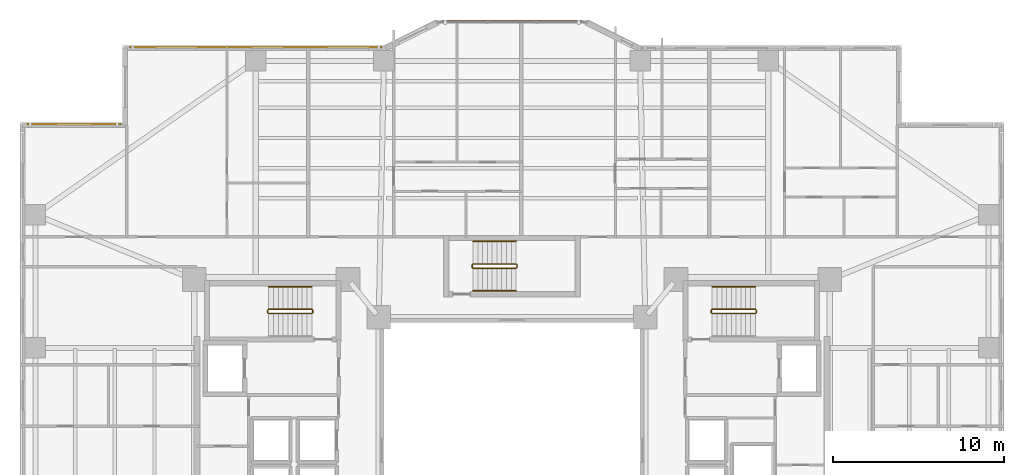
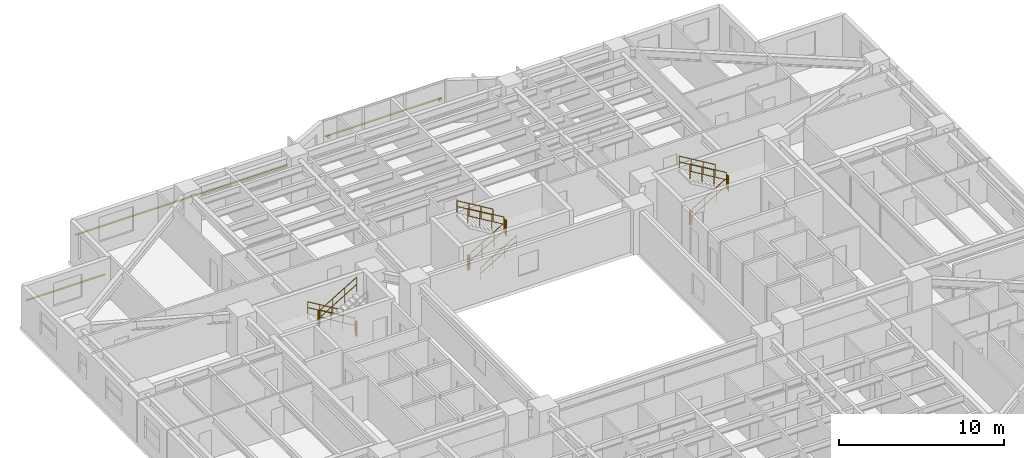
# One storey, part 20 of 21: 16 railings, 3 shading devices.
"""IFC4 building model written with IfcOpenShell, lengths in metres."""

import ifcopenshell
import ifcopenshell.guid

model = None  # the IFC model being written
_history = None  # IfcOwnerHistory: only IFC2X3 demands one
_inside = {}  # id of a spatial element -> (the spatial element, [elements in it])
_under = {}  # id of a project, library or spatial element -> (it, [spatial elements below it])
_declared = {}  # id of a project -> (the project, [libraries it declares])
_typed = {}  # id of a type object -> (the type object, [elements of that type])
_made_of = {}  # id of a material, layer set ... -> (it, [elements and type objects made of it])


def new_model(schema):
    """Start an empty IFC model of exactly this schema.

    Asked for "IFC4X3", IfcOpenShell would pick the latest addendum, in which some entities
    have other attributes; the version numbers below select the first issue.
    IFC2X3 requires an IfcOwnerHistory on every rooted entity: one is made here for all.
    """
    global model, _history
    if schema == "IFC4X3":
        model = ifcopenshell.file(schema_version=(4, 3, 0, 0))
    else:
        model = ifcopenshell.file(schema=schema)
    _inside.clear()
    _under.clear()
    _declared.clear()
    _typed.clear()
    _made_of.clear()
    _history = None
    if model.schema == "IFC2X3":
        org = make("IfcOrganization", Name="unknown")
        user = make(
            "IfcPersonAndOrganization",
            ThePerson=make("IfcPerson", FamilyName="unknown"),
            TheOrganization=org,
        )
        app = make(
            "IfcApplication",
            ApplicationDeveloper=org,
            Version="unknown",
            ApplicationFullName="unknown",
            ApplicationIdentifier="unknown",
        )
        _history = make(
            "IfcOwnerHistory",
            OwningUser=user,
            OwningApplication=app,
            ChangeAction="ADDED",
            CreationDate=0,
        )
    return model


def make(cls, **values):
    """One entity of the class cls with the attributes given. An attribute that is None is left unset."""
    return model.create_entity(
        cls, **{name: value for name, value in values.items() if value is not None}
    )


def rooted(cls, **values):
    """An entity with a GlobalId (a new one), such as an element, a storey or a relation."""
    return make(cls, GlobalId=ifcopenshell.guid.new(), OwnerHistory=_history, **values)


def si_unit(unit_type, name, prefix=None):
    """IfcSIUnit, for example si_unit("LENGTHUNIT", "METRE", prefix="MILLI")."""
    return make("IfcSIUnit", UnitType=unit_type, Prefix=prefix, Name=name)


def assignment(units):
    """IfcUnitAssignment: the units of a project."""
    return None if units is None else make("IfcUnitAssignment", Units=units)


def point(xyz):
    """IfcCartesianPoint."""
    return None if xyz is None else make("IfcCartesianPoint", Coordinates=xyz)


def direction(xyz):
    """IfcDirection."""
    return None if xyz is None else make("IfcDirection", DirectionRatios=xyz)


def frame(location, z_axis=None, x_axis=None):
    """IfcAxis2Placement3D, a coordinate frame: its origin and axes. An axis left out is left unset."""
    return make(
        "IfcAxis2Placement3D",
        Location=point(location),
        Axis=direction(z_axis),
        RefDirection=direction(x_axis),
    )


def frame_2d(location, x_axis=None):
    """IfcAxis2Placement2D, a coordinate frame in the plane: its origin and x axis."""
    return make(
        "IfcAxis2Placement2D", Location=point(location), RefDirection=direction(x_axis)
    )


def origin():
    """The frame at (0, 0, 0) with its axes left unset."""
    return frame((0.0, 0.0, 0.0))


def origin_2d():
    """The frame at (0, 0) in the plane with its x axis left unset."""
    return frame_2d((0.0, 0.0))


def place(relative_to, where):
    """IfcLocalPlacement: puts the frame where relative to a parent placement (None: the world)."""
    return make(
        "IfcLocalPlacement", PlacementRelTo=relative_to, RelativePlacement=where
    )


def context(
    kind, dimensions, precision=None, world=None, true_north=None, identifier=None
):
    """IfcGeometricRepresentationContext, for example the 3D "Model" context."""
    return make(
        "IfcGeometricRepresentationContext",
        ContextIdentifier=identifier,
        ContextType=kind,
        CoordinateSpaceDimension=dimensions,
        Precision=precision,
        WorldCoordinateSystem=world,
        TrueNorth=true_north,
    )


def subcontext(parent, identifier, kind, view, scale=None):
    """IfcGeometricRepresentationSubContext, for example "Body" below "Model"."""
    return make(
        "IfcGeometricRepresentationSubContext",
        ContextIdentifier=identifier,
        ContextType=kind,
        ParentContext=parent,
        TargetScale=scale,
        TargetView=view,
    )


def project(units=None, contexts=None):
    """IfcProject with its units and contexts."""
    return rooted(
        "IfcProject",
        Name="project",
        RepresentationContexts=contexts,
        UnitsInContext=assignment(units),
    )


def spatial(cls, under=None, at=None, **own):
    """A site, building, storey or space (cls), placed at a placement, below another one or the project."""
    s = rooted(cls, ObjectPlacement=at, **own)
    if under is not None:
        _under.setdefault(under.id(), (under, []))[1].append(s)
    return s


def profile(cls, at=None, kind="AREA", **sizes):
    """A parametric profile (cls). Its sizes go by their IFC names, for example OverallWidth=200.0."""
    return make(cls, ProfileType=kind, Position=at, **sizes)


def rectangle(**sizes):
    """IfcRectangleProfileDef."""
    return profile("IfcRectangleProfileDef", **sizes)


def circle(**sizes):
    """IfcCircleProfileDef."""
    return profile("IfcCircleProfileDef", **sizes)


def extrude(swept, where, along, depth):
    """IfcExtrudedAreaSolid: the profile swept, set in the frame where, extruded along a direction by depth."""
    return make(
        "IfcExtrudedAreaSolid",
        SweptArea=swept,
        Position=where,
        ExtrudedDirection=direction(along),
        Depth=depth,
    )


def shape(context_of_items, identifier, shape_type, items):
    """IfcShapeRepresentation: the items that make up one representation, for example the "Body"."""
    return make(
        "IfcShapeRepresentation",
        ContextOfItems=context_of_items,
        RepresentationIdentifier=identifier,
        RepresentationType=shape_type,
        Items=items,
    )


def material(Name=None, Category=None):
    """IfcMaterial."""
    return make("IfcMaterial", Name=Name, Category=Category)


def material_profile(
    of_material, cross_section, Name=None, Category=None, Priority=None
):
    """IfcMaterialProfile: a cross section and its material."""
    return make(
        "IfcMaterialProfile",
        Name=Name,
        Material=of_material,
        Profile=cross_section,
        Priority=Priority,
        Category=Category,
    )


def profile_set(profiles, Name=None, composite=None):
    """IfcMaterialProfileSet."""
    return make(
        "IfcMaterialProfileSet",
        Name=Name,
        MaterialProfiles=profiles,
        CompositeProfile=composite,
    )


def made_of(thing, what):
    """Note that an element or type object is made of a material, layer set ...; save() writes the relation."""
    if what is not None:
        _made_of.setdefault(what.id(), (what, []))[1].append(thing)
    return thing


def type_object(cls, material=None, **own):
    """A type object (cls), such as IfcWallType, which elements share."""
    return made_of(rooted(cls, **own), material)


def element(
    cls,
    number,
    at=None,
    inside=None,
    cuts=None,
    type_object=None,
    material=None,
    context=None,
    identifier="Body",
    shape_type=None,
    held_by="IfcProductDefinitionShape",
    body=None,
    shapes=None,
    **own,
):
    """One element of the class cls, such as IfcWall. Its Tag is "e" and its number.

    at: its placement. inside: the storey or other place that contains it. cuts: it is an
    opening in that element (IfcRelVoidsElement). A single representation is given by context,
    identifier, shape_type and body (its items); several are given by shapes. held_by: the class
    of the entity that holds the representations. save() writes the other relations.
    """
    e = rooted(cls, Tag="e%d" % number, ObjectPlacement=at, **own)
    if body is not None:
        shapes = [shape(context, identifier, shape_type, body)]
    if shapes is not None:
        e.Representation = make(held_by, Representations=shapes)
    if inside is not None:
        _inside.setdefault(inside.id(), (inside, []))[1].append(e)
    if cuts is not None:
        rooted(
            "IfcRelVoidsElement", RelatingBuildingElement=cuts, RelatedOpeningElement=e
        )
    if type_object is not None:
        _typed.setdefault(type_object.id(), (type_object, []))[1].append(e)
    return made_of(e, material)


def aggregate(whole, parts):
    """IfcRelAggregates: a whole, such as a stair, and the parts it consists of."""
    return rooted("IfcRelAggregates", RelatingObject=whole, RelatedObjects=parts)


def save(model, path):
    """Write the relations noted so far, then the file.

    IfcRelAggregates (storeys below a building ...), IfcRelContainedInSpatialStructure (elements
    in a storey), IfcRelDefinesByType, IfcRelAssociatesMaterial and IfcRelDeclares: one each for
    every whole, place, type object, material and project.
    """
    for whole, parts in _under.values():
        aggregate(whole, parts)
    for where, things in _inside.values():
        rooted(
            "IfcRelContainedInSpatialStructure",
            RelatedElements=things,
            RelatingStructure=where,
        )
    for kind, things in _typed.values():
        rooted("IfcRelDefinesByType", RelatedObjects=things, RelatingType=kind)
    for what, things in _made_of.values():
        rooted("IfcRelAssociatesMaterial", RelatedObjects=things, RelatingMaterial=what)
    for by, libraries in _declared.values():
        rooted("IfcRelDeclares", RelatingContext=by, RelatedDefinitions=libraries)
    model.write(path)


model = new_model("IFC4")

# Units and contexts
model_context = context("Model", 3, precision=1e-05, world=origin(), true_north=direction((0.0, 1.0)))
body_context = subcontext(model_context, "Body", "Model", "MODEL_VIEW")
ifc_project = project(units=[si_unit("LENGTHUNIT", "METRE"), si_unit("AREAUNIT", "SQUARE_METRE"), si_unit("VOLUMEUNIT", "CUBIC_METRE"), si_unit("PLANEANGLEUNIT", "RADIAN"), si_unit("MASSUNIT", "GRAM", prefix="KILO")], contexts=[model_context])

# Site, building, storey
site_placement = place(None, origin())
site = spatial("IfcSite", under=ifc_project, at=site_placement, CompositionType="ELEMENT")
building_placement = place(site_placement, origin())
building = spatial("IfcBuilding", under=site, at=building_placement, Name="Tarnavaz Court Tower", CompositionType="ELEMENT")
storey_placement = place(building_placement, frame((0.0, 0.0, 24.0)))
storey = spatial("IfcBuildingStorey", under=building, at=storey_placement, Name="L05", CompositionType="ELEMENT", Elevation=24.0)

# Railings
ifc_material_1 = material(Name="Brushed Stainless Steel", Category="steel")
railing_type_1 = type_object("IfcRailingType", Name="RL-HANDRAIL-900", PredefinedType="HANDRAIL", material=ifc_material_1)
for number, where, name in (
    (1, (-11.719970703125, 9.590087890625, 0.16748046875), "L05 ST-W1 stair handrail 1"),
    (2, (14.239990234375, 9.590087890625, 1.842529296875), "L05 ST-E1 stair handrail 2"),
):
    element("IfcRailing", number, at=place(storey_placement, frame(where)), inside=storey, type_object=railing_type_1, Name=name, PredefinedType="HANDRAIL", context=body_context, shape_type="SweptSolid", body=[
        extrude(circle(Radius=0.02392578125, at=origin_2d()), frame((0.0, 0.0, 0.8759765625), z_axis=(-0.858159760407, 0.0, 0.513382728203), x_axis=(0.0, -1.0, 0.0)), (0.0, 0.0, 1.0), 2.9365234375),
        extrude(circle(Radius=0.02392578125, at=origin_2d()), frame((0.0, 0.0, 0.449951171875), z_axis=(-0.858159760407, 0.0, 0.513382728203), x_axis=(0.0, -1.0, 0.0)), (0.0, 0.0, 1.0), 2.9365234375),
        extrude(circle(Radius=0.02099609375, at=origin_2d()), origin(), (0.0, 0.0, 1.0), 0.851806640625),
        extrude(circle(Radius=0.02099609375, at=origin_2d()), frame((-0.840087890625, 0.0, 0.50244140625)), (0.0, 0.0, 1.0), 0.851806640625),
        extrude(circle(Radius=0.02099609375, at=origin_2d()), frame((-1.679931640625, 0.0, 1.005126953125)), (0.0, 0.0, 1.0), 0.851806640625),
        extrude(circle(Radius=0.02099609375, at=origin_2d()), frame((-2.52001953125, 0.0, 1.507568359375)), (0.0, 0.0, 1.0), 0.851806640625),
    ])
railing_1_placement = place(storey_placement, frame((-2.280029296875, 9.35009765625, 0.16748046875)))
element("IfcRailing", 3, at=railing_1_placement, inside=storey, type_object=railing_type_1, Name="L05 ST-N1 stair handrail 1", PredefinedType="HANDRAIL", context=body_context, shape_type="SweptSolid", body=[
    extrude(circle(Radius=0.02392578125, at=origin_2d()), frame((0.0, 0.0, 0.8759765625), z_axis=(0.858159760407, 0.0, 0.513382728203), x_axis=(0.0, 1.0, 0.0)), (0.0, 0.0, 1.0), 2.9365234375),
    extrude(circle(Radius=0.02392578125, at=origin_2d()), frame((0.0, 0.0, 0.449951171875), z_axis=(0.858159760407, 0.0, 0.513382728203), x_axis=(0.0, 1.0, 0.0)), (0.0, 0.0, 1.0), 2.9365234375),
    extrude(circle(Radius=0.02099609375, at=origin_2d()), origin(), (0.0, 0.0, 1.0), 0.851806640625),
    extrude(circle(Radius=0.02099609375, at=origin_2d()), frame((0.840087890625, 0.0, 0.50244140625)), (0.0, 0.0, 1.0), 0.851806640625),
    extrude(circle(Radius=0.02099609375, at=origin_2d()), frame((1.679931640625, 0.0, 1.005126953125)), (0.0, 0.0, 1.0), 0.851806640625),
    extrude(circle(Radius=0.02099609375, at=origin_2d()), frame((2.52001953125, 0.0, 1.507568359375)), (0.0, 0.0, 1.0), 0.851806640625),
])
railing_2_placement = place(storey_placement, frame((0.239990234375, 12.239990234375, 1.842529296875)))
element("IfcRailing", 4, at=railing_2_placement, inside=storey, type_object=railing_type_1, Name="L05 ST-N1 stair handrail 2", PredefinedType="HANDRAIL", context=body_context, shape_type="SweptSolid", body=[
    extrude(circle(Radius=0.02392578125, at=origin_2d()), frame((0.0, 0.0, 0.8759765625), z_axis=(-0.858159760407, 0.0, 0.513382728203), x_axis=(0.0, -1.0, 0.0)), (0.0, 0.0, 1.0), 2.9365234375),
    extrude(circle(Radius=0.02392578125, at=origin_2d()), frame((0.0, 0.0, 0.449951171875), z_axis=(-0.858159760407, 0.0, 0.513382728203), x_axis=(0.0, -1.0, 0.0)), (0.0, 0.0, 1.0), 2.9365234375),
    extrude(circle(Radius=0.02099609375, at=origin_2d()), origin(), (0.0, 0.0, 1.0), 0.851806640625),
    extrude(circle(Radius=0.02099609375, at=origin_2d()), frame((-0.840087890625, 0.0, 0.50244140625)), (0.0, 0.0, 1.0), 0.851806640625),
    extrude(circle(Radius=0.02099609375, at=origin_2d()), frame((-1.679931640625, 0.0, 1.005126953125)), (0.0, 0.0, 1.0), 0.851806640625),
    extrude(circle(Radius=0.02099609375, at=origin_2d()), frame((-2.52001953125, 0.0, 1.507568359375)), (0.0, 0.0, 1.0), 0.851806640625),
])
ifc_material_2 = material(Name="Galvanized Painted Tubular Steel", Category="steel")
railing_type_2 = type_object("IfcRailingType", Name="RL-STGUARD-1120", PredefinedType="GUARDRAIL", material=ifc_material_2)
railing_3_placement = place(storey_placement, frame((-11.719970703125, 8.27001953125, 0.16748046875)))
element("IfcRailing", 5, at=railing_3_placement, inside=storey, type_object=railing_type_2, Name="L05 ST-W1 stair guard 1", PredefinedType="GUARDRAIL", context=body_context, shape_type="SweptSolid", body=[
    extrude(circle(Radius=0.02392578125, at=origin_2d()), frame((0.0, 0.0, 1.09619140625), z_axis=(-0.858159760407, 0.0, 0.513382728203), x_axis=(0.0, -1.0, 0.0)), (0.0, 0.0, 1.0), 2.9365234375),
    extrude(circle(Radius=0.02392578125, at=origin_2d()), frame((0.0, 0.0, 0.56005859375), z_axis=(-0.858159760407, 0.0, 0.513382728203), x_axis=(0.0, -1.0, 0.0)), (0.0, 0.0, 1.0), 2.9365234375),
    extrude(circle(Radius=0.02099609375, at=origin_2d()), origin(), (0.0, 0.0, 1.0), 1.072021484375),
    extrude(circle(Radius=0.02099609375, at=origin_2d()), frame((-0.840087890625, 0.0, 0.50244140625)), (0.0, 0.0, 1.0), 1.072021484375),
    extrude(circle(Radius=0.02099609375, at=origin_2d()), frame((-1.679931640625, 0.0, 1.005126953125)), (0.0, 0.0, 1.0), 1.072021484375),
    extrude(circle(Radius=0.02099609375, at=origin_2d()), frame((-2.52001953125, 0.0, 1.507568359375)), (0.0, 0.0, 1.0), 1.072021484375),
])
railing_4_placement = place(storey_placement, frame((-14.2900390625, 8.219970703125, 1.675048828125)))
element("IfcRailing", 6, at=railing_4_placement, inside=storey, type_object=railing_type_2, Name="L05 ST-W1 stair guard 2", PredefinedType="GUARDRAIL", context=body_context, shape_type="SweptSolid", body=[
    extrude(circle(Radius=0.02392578125, at=origin_2d()), frame((0.0, 0.0, 1.09619140625), z_axis=(0.0, -1.0, 0.0), x_axis=(1.0, 0.0, 0.0)), (0.0, 0.0, 1.0), 0.14990234375),
    extrude(circle(Radius=0.02392578125, at=origin_2d()), frame((0.0, 0.0, 0.56005859375), z_axis=(0.0, -1.0, 0.0), x_axis=(1.0, 0.0, 0.0)), (0.0, 0.0, 1.0), 0.14990234375),
    extrude(circle(Radius=0.02099609375, at=origin_2d()), origin(), (0.0, 0.0, 1.0), 1.072021484375),
    extrude(circle(Radius=0.02099609375, at=origin_2d()), frame((0.0, -0.14990234375, 0.0)), (0.0, 0.0, 1.0), 1.072021484375),
])
railing_5_placement = place(storey_placement, frame((-14.239990234375, 8.02001953125, 1.842529296875)))
element("IfcRailing", 7, at=railing_5_placement, inside=storey, type_object=railing_type_2, Name="L05 ST-W1 stair guard 3", PredefinedType="GUARDRAIL", context=body_context, shape_type="SweptSolid", body=[
    extrude(circle(Radius=0.02392578125, at=origin_2d()), frame((0.0, 0.0, 1.09619140625), z_axis=(0.858159760407, 0.0, 0.513382728203), x_axis=(0.0, 1.0, 0.0)), (0.0, 0.0, 1.0), 2.9365234375),
    extrude(circle(Radius=0.02392578125, at=origin_2d()), frame((0.0, 0.0, 0.56005859375), z_axis=(0.858159760407, 0.0, 0.513382728203), x_axis=(0.0, 1.0, 0.0)), (0.0, 0.0, 1.0), 2.9365234375),
    extrude(circle(Radius=0.02099609375, at=origin_2d()), origin(), (0.0, 0.0, 1.0), 1.072021484375),
    extrude(circle(Radius=0.02099609375, at=origin_2d()), frame((0.840087890625, 0.0, 0.50244140625)), (0.0, 0.0, 1.0), 1.072021484375),
    extrude(circle(Radius=0.02099609375, at=origin_2d()), frame((1.679931640625, 0.0, 1.005126953125)), (0.0, 0.0, 1.0), 1.072021484375),
    extrude(circle(Radius=0.02099609375, at=origin_2d()), frame((2.52001953125, 0.0, 1.507568359375)), (0.0, 0.0, 1.0), 1.072021484375),
])
railing_6_placement = place(storey_placement, frame((-11.669921875, 8.219970703125, 0.0)))
element("IfcRailing", 8, at=railing_6_placement, inside=storey, type_object=railing_type_2, Name="L05 ST-W1 stair guard 4", PredefinedType="GUARDRAIL", context=body_context, shape_type="SweptSolid", body=[
    extrude(circle(Radius=0.02392578125, at=origin_2d()), frame((0.0, 0.0, 1.09619140625), z_axis=(0.0, -1.0, 0.0), x_axis=(1.0, 0.0, 0.0)), (0.0, 0.0, 1.0), 0.14990234375),
    extrude(circle(Radius=0.02392578125, at=origin_2d()), frame((0.0, 0.0, 0.56005859375), z_axis=(0.0, -1.0, 0.0), x_axis=(1.0, 0.0, 0.0)), (0.0, 0.0, 1.0), 0.14990234375),
    extrude(circle(Radius=0.02099609375, at=origin_2d()), origin(), (0.0, 0.0, 1.0), 1.072021484375),
    extrude(circle(Radius=0.02099609375, at=origin_2d()), frame((0.0, -0.14990234375, 0.0)), (0.0, 0.0, 1.0), 1.072021484375),
])
railing_7_placement = place(storey_placement, frame((11.719970703125, 8.02001953125, 0.16748046875)))
element("IfcRailing", 9, at=railing_7_placement, inside=storey, type_object=railing_type_2, Name="L05 ST-E1 stair guard 1", PredefinedType="GUARDRAIL", context=body_context, shape_type="SweptSolid", body=[
    extrude(circle(Radius=0.02392578125, at=origin_2d()), frame((0.0, 0.0, 1.09619140625), z_axis=(0.858159760407, 0.0, 0.513382728203), x_axis=(0.0, 1.0, 0.0)), (0.0, 0.0, 1.0), 2.9365234375),
    extrude(circle(Radius=0.02392578125, at=origin_2d()), frame((0.0, 0.0, 0.56005859375), z_axis=(0.858159760407, 0.0, 0.513382728203), x_axis=(0.0, 1.0, 0.0)), (0.0, 0.0, 1.0), 2.9365234375),
    extrude(circle(Radius=0.02099609375, at=origin_2d()), origin(), (0.0, 0.0, 1.0), 1.072021484375),
    extrude(circle(Radius=0.02099609375, at=origin_2d()), frame((0.840087890625, 0.0, 0.50244140625)), (0.0, 0.0, 1.0), 1.072021484375),
    extrude(circle(Radius=0.02099609375, at=origin_2d()), frame((1.679931640625, 0.0, 1.005126953125)), (0.0, 0.0, 1.0), 1.072021484375),
    extrude(circle(Radius=0.02099609375, at=origin_2d()), frame((2.52001953125, 0.0, 1.507568359375)), (0.0, 0.0, 1.0), 1.072021484375),
])
railing_8_placement = place(storey_placement, frame((14.2900390625, 8.070068359375, 1.675048828125)))
element("IfcRailing", 10, at=railing_8_placement, inside=storey, type_object=railing_type_2, Name="L05 ST-E1 stair guard 2", PredefinedType="GUARDRAIL", context=body_context, shape_type="SweptSolid", body=[
    extrude(circle(Radius=0.02392578125, at=origin_2d()), frame((0.0, 0.0, 1.09619140625), z_axis=(0.0, 1.0, 0.0), x_axis=(-1.0, 0.0, 0.0)), (0.0, 0.0, 1.0), 0.14990234375),
    extrude(circle(Radius=0.02392578125, at=origin_2d()), frame((0.0, 0.0, 0.56005859375), z_axis=(0.0, 1.0, 0.0), x_axis=(-1.0, 0.0, 0.0)), (0.0, 0.0, 1.0), 0.14990234375),
    extrude(circle(Radius=0.02099609375, at=origin_2d()), origin(), (0.0, 0.0, 1.0), 1.072021484375),
    extrude(circle(Radius=0.02099609375, at=origin_2d()), frame((0.0, 0.14990234375, 0.0)), (0.0, 0.0, 1.0), 1.072021484375),
])
railing_9_placement = place(storey_placement, frame((14.239990234375, 8.27001953125, 1.842529296875)))
element("IfcRailing", 11, at=railing_9_placement, inside=storey, type_object=railing_type_2, Name="L05 ST-E1 stair guard 3", PredefinedType="GUARDRAIL", context=body_context, shape_type="SweptSolid", body=[
    extrude(circle(Radius=0.02392578125, at=origin_2d()), frame((0.0, 0.0, 1.09619140625), z_axis=(-0.858159760407, 0.0, 0.513382728203), x_axis=(0.0, -1.0, 0.0)), (0.0, 0.0, 1.0), 2.9365234375),
    extrude(circle(Radius=0.02392578125, at=origin_2d()), frame((0.0, 0.0, 0.56005859375), z_axis=(-0.858159760407, 0.0, 0.513382728203), x_axis=(0.0, -1.0, 0.0)), (0.0, 0.0, 1.0), 2.9365234375),
    extrude(circle(Radius=0.02099609375, at=origin_2d()), origin(), (0.0, 0.0, 1.0), 1.072021484375),
    extrude(circle(Radius=0.02099609375, at=origin_2d()), frame((-0.840087890625, 0.0, 0.50244140625)), (0.0, 0.0, 1.0), 1.072021484375),
    extrude(circle(Radius=0.02099609375, at=origin_2d()), frame((-1.679931640625, 0.0, 1.005126953125)), (0.0, 0.0, 1.0), 1.072021484375),
    extrude(circle(Radius=0.02099609375, at=origin_2d()), frame((-2.52001953125, 0.0, 1.507568359375)), (0.0, 0.0, 1.0), 1.072021484375),
])
railing_10_placement = place(storey_placement, frame((11.669921875, 8.070068359375, 0.0)))
element("IfcRailing", 12, at=railing_10_placement, inside=storey, type_object=railing_type_2, Name="L05 ST-E1 stair guard 4", PredefinedType="GUARDRAIL", context=body_context, shape_type="SweptSolid", body=[
    extrude(circle(Radius=0.02392578125, at=origin_2d()), frame((0.0, 0.0, 1.09619140625), z_axis=(0.0, 1.0, 0.0), x_axis=(-1.0, 0.0, 0.0)), (0.0, 0.0, 1.0), 0.14990234375),
    extrude(circle(Radius=0.02392578125, at=origin_2d()), frame((0.0, 0.0, 0.56005859375), z_axis=(0.0, 1.0, 0.0), x_axis=(-1.0, 0.0, 0.0)), (0.0, 0.0, 1.0), 0.14990234375),
    extrude(circle(Radius=0.02099609375, at=origin_2d()), origin(), (0.0, 0.0, 1.0), 1.072021484375),
    extrude(circle(Radius=0.02099609375, at=origin_2d()), frame((0.0, 0.14990234375, 0.0)), (0.0, 0.0, 1.0), 1.072021484375),
])
railing_11_placement = place(storey_placement, frame((-2.280029296875, 10.669921875, 0.16748046875)))
element("IfcRailing", 13, at=railing_11_placement, inside=storey, type_object=railing_type_2, Name="L05 ST-N1 stair guard 1", PredefinedType="GUARDRAIL", context=body_context, shape_type="SweptSolid", body=[
    extrude(circle(Radius=0.02392578125, at=origin_2d()), frame((0.0, 0.0, 1.09619140625), z_axis=(0.858159760407, 0.0, 0.513382728203), x_axis=(0.0, 1.0, 0.0)), (0.0, 0.0, 1.0), 2.9365234375),
    extrude(circle(Radius=0.02392578125, at=origin_2d()), frame((0.0, 0.0, 0.56005859375), z_axis=(0.858159760407, 0.0, 0.513382728203), x_axis=(0.0, 1.0, 0.0)), (0.0, 0.0, 1.0), 2.9365234375),
    extrude(circle(Radius=0.02099609375, at=origin_2d()), origin(), (0.0, 0.0, 1.0), 1.072021484375),
    extrude(circle(Radius=0.02099609375, at=origin_2d()), frame((0.840087890625, 0.0, 0.50244140625)), (0.0, 0.0, 1.0), 1.072021484375),
    extrude(circle(Radius=0.02099609375, at=origin_2d()), frame((1.679931640625, 0.0, 1.005126953125)), (0.0, 0.0, 1.0), 1.072021484375),
    extrude(circle(Radius=0.02099609375, at=origin_2d()), frame((2.52001953125, 0.0, 1.507568359375)), (0.0, 0.0, 1.0), 1.072021484375),
])
railing_12_placement = place(storey_placement, frame((0.2900390625, 10.719970703125, 1.675048828125)))
element("IfcRailing", 14, at=railing_12_placement, inside=storey, type_object=railing_type_2, Name="L05 ST-N1 stair guard 2", PredefinedType="GUARDRAIL", context=body_context, shape_type="SweptSolid", body=[
    extrude(circle(Radius=0.02392578125, at=origin_2d()), frame((0.0, 0.0, 1.09619140625), z_axis=(0.0, 1.0, 0.0), x_axis=(-1.0, 0.0, 0.0)), (0.0, 0.0, 1.0), 0.150146484375),
    extrude(circle(Radius=0.02392578125, at=origin_2d()), frame((0.0, 0.0, 0.56005859375), z_axis=(0.0, 1.0, 0.0), x_axis=(-1.0, 0.0, 0.0)), (0.0, 0.0, 1.0), 0.150146484375),
    extrude(circle(Radius=0.02099609375, at=origin_2d()), origin(), (0.0, 0.0, 1.0), 1.072021484375),
    extrude(circle(Radius=0.02099609375, at=origin_2d()), frame((0.0, 0.150146484375, 0.0)), (0.0, 0.0, 1.0), 1.072021484375),
])
railing_13_placement = place(storey_placement, frame((0.239990234375, 10.919921875, 1.842529296875)))
element("IfcRailing", 15, at=railing_13_placement, inside=storey, type_object=railing_type_2, Name="L05 ST-N1 stair guard 3", PredefinedType="GUARDRAIL", context=body_context, shape_type="SweptSolid", body=[
    extrude(circle(Radius=0.02392578125, at=origin_2d()), frame((0.0, 0.0, 1.09619140625), z_axis=(-0.858159760407, 0.0, 0.513382728203), x_axis=(0.0, -1.0, 0.0)), (0.0, 0.0, 1.0), 2.9365234375),
    extrude(circle(Radius=0.02392578125, at=origin_2d()), frame((0.0, 0.0, 0.56005859375), z_axis=(-0.858159760407, 0.0, 0.513382728203), x_axis=(0.0, -1.0, 0.0)), (0.0, 0.0, 1.0), 2.9365234375),
    extrude(circle(Radius=0.02099609375, at=origin_2d()), origin(), (0.0, 0.0, 1.0), 1.072021484375),
    extrude(circle(Radius=0.02099609375, at=origin_2d()), frame((-0.840087890625, 0.0, 0.50244140625)), (0.0, 0.0, 1.0), 1.072021484375),
    extrude(circle(Radius=0.02099609375, at=origin_2d()), frame((-1.679931640625, 0.0, 1.005126953125)), (0.0, 0.0, 1.0), 1.072021484375),
    extrude(circle(Radius=0.02099609375, at=origin_2d()), frame((-2.52001953125, 0.0, 1.507568359375)), (0.0, 0.0, 1.0), 1.072021484375),
])
railing_14_placement = place(storey_placement, frame((-2.330078125, 10.719970703125, 0.0)))
element("IfcRailing", 16, at=railing_14_placement, inside=storey, type_object=railing_type_2, Name="L05 ST-N1 stair guard 4", PredefinedType="GUARDRAIL", context=body_context, shape_type="SweptSolid", body=[
    extrude(circle(Radius=0.02392578125, at=origin_2d()), frame((0.0, 0.0, 1.09619140625), z_axis=(0.0, 1.0, 0.0), x_axis=(-1.0, 0.0, 0.0)), (0.0, 0.0, 1.0), 0.150146484375),
    extrude(circle(Radius=0.02392578125, at=origin_2d()), frame((0.0, 0.0, 0.56005859375), z_axis=(0.0, 1.0, 0.0), x_axis=(-1.0, 0.0, 0.0)), (0.0, 0.0, 1.0), 0.150146484375),
    extrude(circle(Radius=0.02099609375, at=origin_2d()), origin(), (0.0, 0.0, 1.0), 1.072021484375),
    extrude(circle(Radius=0.02099609375, at=origin_2d()), frame((0.0, 0.150146484375, 0.0)), (0.0, 0.0, 1.0), 1.072021484375),
])

# Shading devices
ifc_material_3 = material(Name="Kiln-Fired Khorasan Terracotta Ceramic", Category="masonry")
ifc_material_profile = material_profile(ifc_material_3, rectangle(XDim=0.1201171875, YDim=0.06005859375, at=origin_2d()), Name="TC BAGUETTE 120X60")
ifc_profile_set = profile_set([ifc_material_profile], Name="Kiln-Fired Khorasan Terracotta Ceramic")
shading_device_type = type_object("IfcShadingDeviceType", Name="SD-BAG-120", PredefinedType="USERDEFINED", material=ifc_profile_set)
shading_device_1_placement = place(storey_placement, frame((-28.39990234375, 19.110107421875, 1.85009765625), z_axis=(1.0, 0.0, 0.0), x_axis=(0.0, 1.0, 0.0)))
element("IfcShadingDevice", 17, at=shading_device_1_placement, inside=storey, type_object=shading_device_type, Name="L05 Terracotta Baguette Screen FBG03", ObjectType="BAGUETTE", PredefinedType="USERDEFINED", context=body_context, shape_type="SweptSolid", body=[
    extrude(rectangle(XDim=0.1201171875, YDim=0.06005859375, at=origin_2d()), origin(), (0.0, 0.0, 1.0), 5.5),
])
shading_device_2_placement = place(storey_placement, frame((-22.39990234375, 23.610107421875, 1.85009765625), z_axis=(1.0, 0.0, 0.0), x_axis=(0.0, 1.0, 0.0)))
element("IfcShadingDevice", 18, at=shading_device_2_placement, inside=storey, type_object=shading_device_type, Name="L05 Terracotta Baguette Screen FBG05", ObjectType="BAGUETTE", PredefinedType="USERDEFINED", context=body_context, shape_type="SweptSolid", body=[
    extrude(rectangle(XDim=0.1201171875, YDim=0.06005859375, at=origin_2d()), origin(), (0.0, 0.0, 1.0), 14.7998046875),
])
shading_device_3_placement = place(storey_placement, frame((-4.10009765625, 25.110107421875, 1.800048828125), z_axis=(1.0, 0.0, 0.0), x_axis=(0.0, 1.0, 0.0)))
element("IfcShadingDevice", 19, at=shading_device_3_placement, inside=storey, type_object=shading_device_type, Name="L05 Terracotta Baguette Screen PBG7", ObjectType="BAGUETTE", PredefinedType="USERDEFINED", context=body_context, shape_type="SweptSolid", body=[
    extrude(rectangle(XDim=0.1201171875, YDim=0.06005859375, at=origin_2d()), origin(), (0.0, 0.0, 1.0), 8.2001953125),
])

save(model, "model.ifc")
